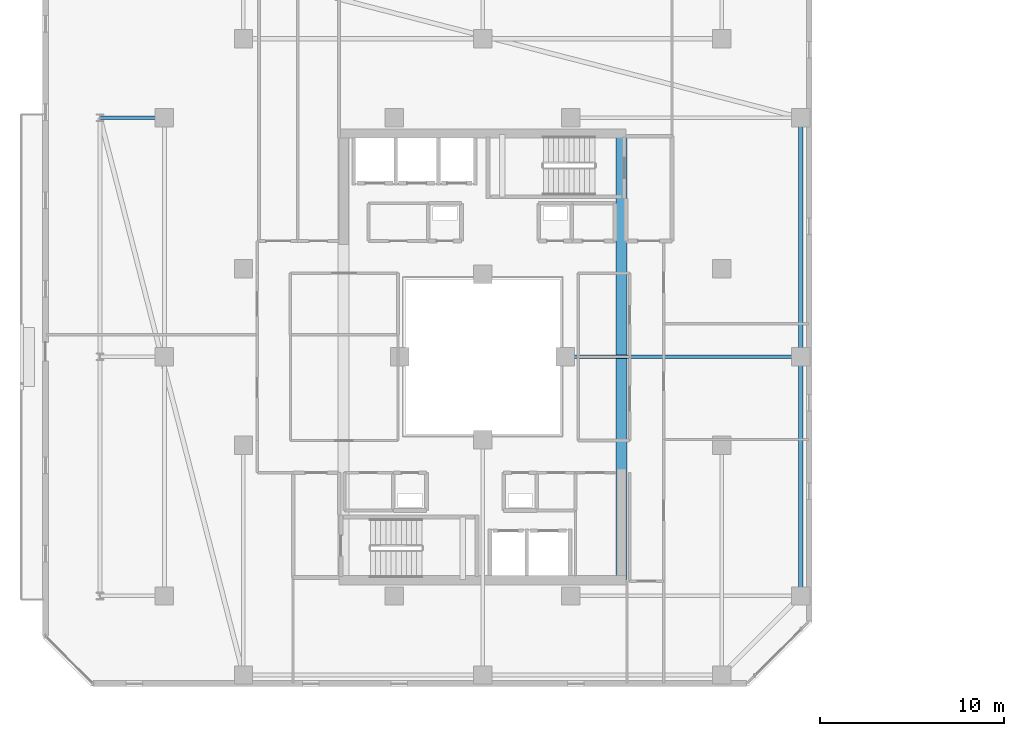
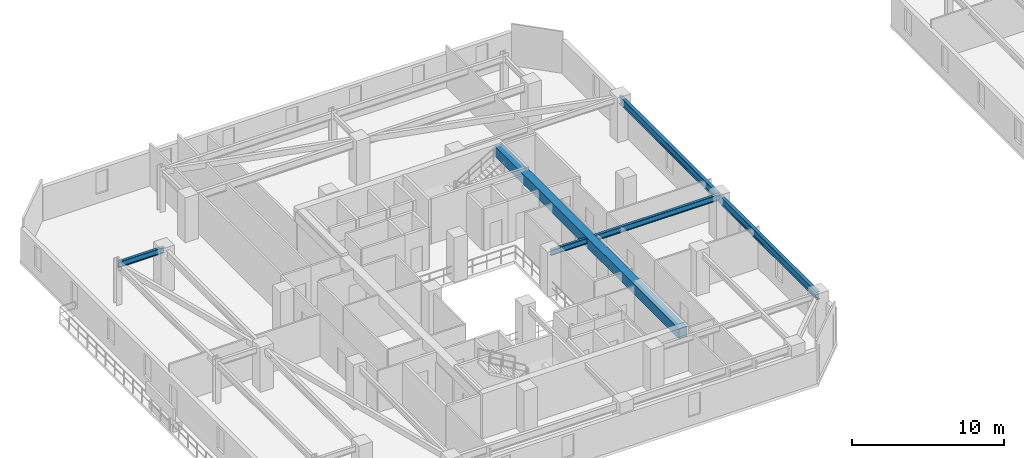
# One storey, part 6 of 33: 5 beams.
"""IFC4 building model written with IfcOpenShell, lengths in metres."""

from ifc_helpers import new_model, si_unit, direction, frame, origin, origin_2d, place, context, subcontext, project, spatial, rectangle, i_section, extrude, material, material_profile, profile_set, type_object, element, save


model = new_model("IFC4")

# Units and contexts
model_context = context("Model", 3, precision=1e-05, world=origin(), true_north=direction((0.0, 1.0)))
body_context = subcontext(model_context, "Body", "Model", "MODEL_VIEW")
ifc_project = project(units=[si_unit("LENGTHUNIT", "METRE"), si_unit("AREAUNIT", "SQUARE_METRE"), si_unit("VOLUMEUNIT", "CUBIC_METRE"), si_unit("PLANEANGLEUNIT", "RADIAN"), si_unit("MASSUNIT", "GRAM", prefix="KILO")], contexts=[model_context])

# Site, building, storey
site_placement = place(None, origin())
site = spatial("IfcSite", under=ifc_project, at=site_placement, CompositionType="ELEMENT")
building_placement = place(site_placement, origin())
building = spatial("IfcBuilding", under=site, at=building_placement, Name="Thornwick Lancets Civic Towers", CompositionType="ELEMENT")
storey_placement = place(building_placement, frame((0.0, 0.0, 210.89990234375)))
storey = spatial("IfcBuildingStorey", under=building, at=storey_placement, Name="L56", CompositionType="ELEMENT", Elevation=210.89990234375)

# Beams
ifc_material_1 = material(Name="Concrete C60/75", Category="concrete")
ifc_material_profile_1 = material_profile(ifc_material_1, rectangle(XDim=0.60009765625, YDim=0.800048828125, at=origin_2d()), Name="RC 600x800")
ifc_profile_set_1 = profile_set([ifc_material_profile_1], Name="Concrete C60/75")
beam_type_1 = type_object("IfcBeamType", Name="BM_COUP_RC800", PredefinedType="BEAM", material=ifc_profile_set_1)
beam_1_placement = place(storey_placement, frame((33.050048828125, 14.89990234375, 2.960205078125), z_axis=(0.0, 1.0, 0.0), x_axis=(-1.0, 0.0, 0.0)))
element("IfcBeam", 1, at=beam_1_placement, inside=storey, type_object=beam_type_1, Name="CB-L56-A1", PredefinedType="BEAM", context=body_context, shape_type="SweptSolid", body=[
    extrude(rectangle(XDim=0.60009765625, YDim=0.800048828125, at=origin_2d()), origin(), (0.0, 0.0, 1.0), 24.2001953125),
])
ifc_material_2 = material(Name="Steel S355JR", Category="steel")
ifc_material_profile_2 = material_profile(ifc_material_2, i_section(OverallWidth=0.230224609375, OverallDepth=0.6171875, WebThickness=0.01318359375, FlangeThickness=0.022216796875, FilletRadius=0.0126953125, at=origin_2d()), Name="UKB 610x229x140")
ifc_profile_set_2 = profile_set([ifc_material_profile_2], Name="Steel S355JR")
beam_type_2 = type_object("IfcBeamType", Name="BM_GIRD_610_140", PredefinedType="BEAM", material=ifc_profile_set_2)
beam_2_placement = place(storey_placement, frame((42.800048828125, 14.0, 3.051513671875), z_axis=(0.0, 1.0, 0.0), x_axis=(-1.0, 0.0, 0.0)))
element("IfcBeam", 2, at=beam_2_placement, inside=storey, type_object=beam_type_2, Name="BM-SPINE-L56-A-3-4", PredefinedType="BEAM", context=body_context, shape_type="SweptSolid", body=[
    extrude(i_section(OverallWidth=0.230224609375, OverallDepth=0.6171875, WebThickness=0.01318359375, FlangeThickness=0.022216796875, FilletRadius=0.0126953125, at=origin_2d()), origin(), (0.0, 0.0, 1.0), 13.0),
])
beam_3_placement = place(storey_placement, frame((42.800048828125, 27.080078125, 3.051513671875), z_axis=(0.0, 1.0, 0.0), x_axis=(-1.0, 0.0, 0.0)))
element("IfcBeam", 3, at=beam_3_placement, inside=storey, type_object=beam_type_2, Name="BM-SPINE-L56-A-4-5", PredefinedType="BEAM", context=body_context, shape_type="SweptSolid", body=[
    extrude(i_section(OverallWidth=0.230224609375, OverallDepth=0.6171875, WebThickness=0.01318359375, FlangeThickness=0.022216796875, FilletRadius=0.0126953125, at=origin_2d()), origin(), (0.0, 0.0, 1.0), 12.919921875),
])
ifc_material_profile_3 = material_profile(ifc_material_2, i_section(OverallWidth=0.19287109375, OverallDepth=0.46728515625, WebThickness=0.011474609375, FlangeThickness=0.01953125, FilletRadius=0.01025390625, at=origin_2d()), Name="UKB 457x191x98")
ifc_profile_set_3 = profile_set([ifc_material_profile_3], Name="Steel S355JR")
beam_type_3 = type_object("IfcBeamType", Name="BM_JOIST_457_98", PredefinedType="JOIST", material=ifc_profile_set_3)
beam_4_placement = place(storey_placement, frame((30.0, 27.0, 3.12646484375), z_axis=(1.0, 0.0, 0.0), x_axis=(0.0, 1.0, 0.0)))
element("IfcBeam", 4, at=beam_4_placement, inside=storey, type_object=beam_type_3, Name="BM-RADIN-L56-A05", PredefinedType="JOIST", context=body_context, shape_type="SweptSolid", body=[
    extrude(i_section(OverallWidth=0.19287109375, OverallDepth=0.46728515625, WebThickness=0.011474609375, FlangeThickness=0.01953125, FilletRadius=0.01025390625, at=origin_2d()), origin(), (0.0, 0.0, 1.0), 12.800048828125),
])
beam_5_placement = place(storey_placement, frame((8.199951171875, 40.0, 3.12646484375), z_axis=(-1.0, 0.0, 0.0), x_axis=(0.0, -1.0, 0.0)))
element("IfcBeam", 5, at=beam_5_placement, inside=storey, type_object=beam_type_3, Name="BM-RAD-L56-A12", PredefinedType="JOIST", context=body_context, shape_type="SweptSolid", body=[
    extrude(i_section(OverallWidth=0.19287109375, OverallDepth=0.46728515625, WebThickness=0.011474609375, FlangeThickness=0.01953125, FilletRadius=0.01025390625, at=origin_2d()), origin(), (0.0, 0.0, 1.0), 3.5),
])

save(model, "model.ifc")
